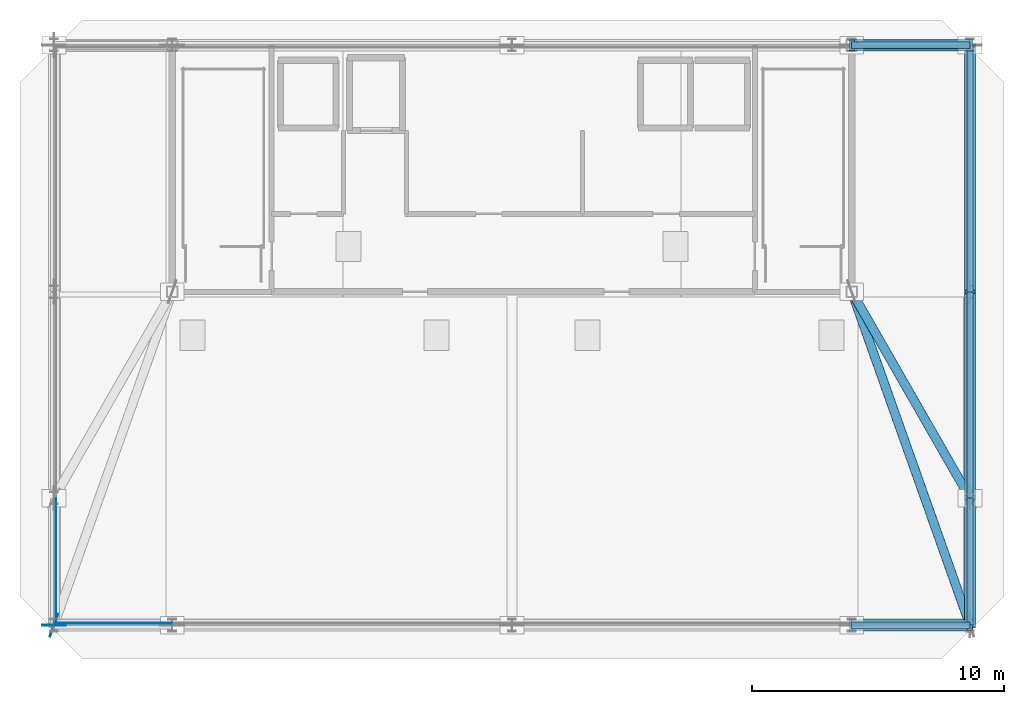
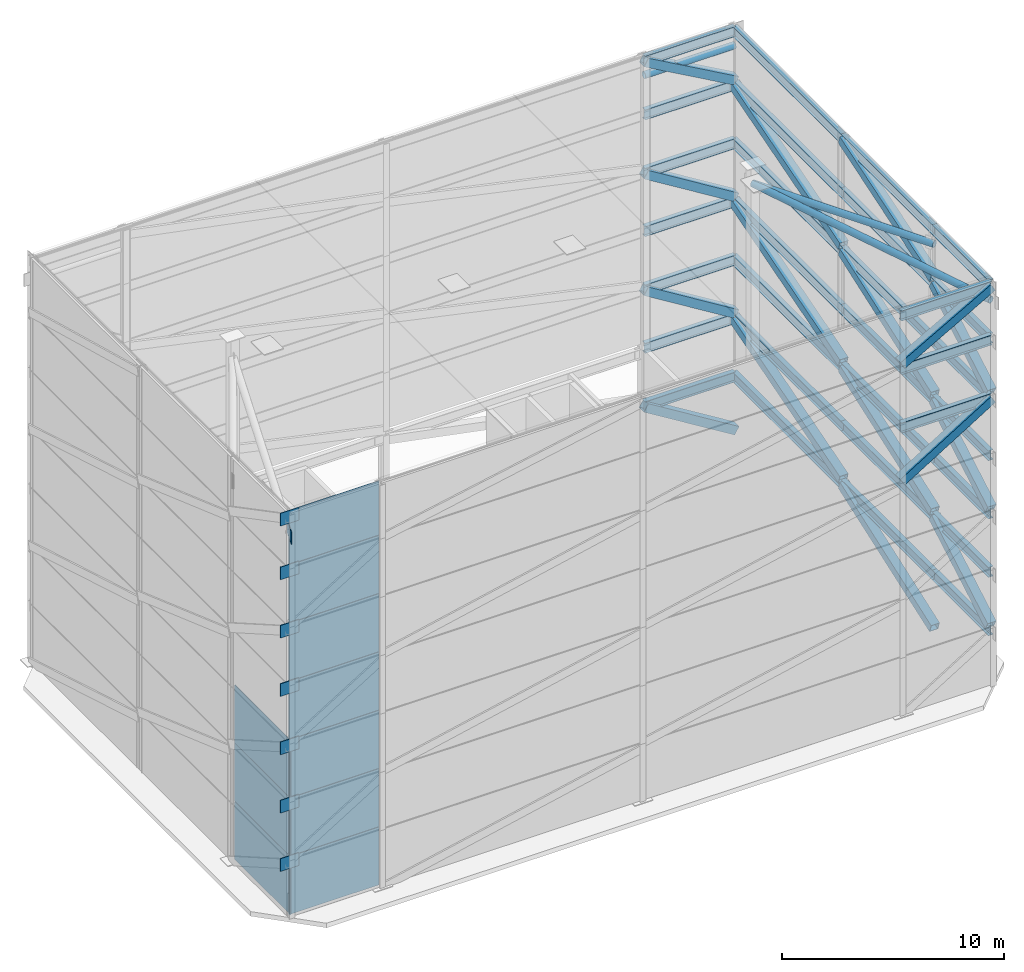
# One storey, part 3 of 8: 31 beams, 19 members, 18 plates.
"""IFC4 building model written with IfcOpenShell, lengths in metres."""

import ifcopenshell
import ifcopenshell.guid

model = None  # the IFC model being written
_history = None  # IfcOwnerHistory: only IFC2X3 demands one
_inside = {}  # id of a spatial element -> (the spatial element, [elements in it])
_under = {}  # id of a project, library or spatial element -> (it, [spatial elements below it])
_declared = {}  # id of a project -> (the project, [libraries it declares])
_typed = {}  # id of a type object -> (the type object, [elements of that type])
_made_of = {}  # id of a material, layer set ... -> (it, [elements and type objects made of it])


def new_model(schema):
    """Start an empty IFC model of exactly this schema.

    Asked for "IFC4X3", IfcOpenShell would pick the latest addendum, in which some entities
    have other attributes; the version numbers below select the first issue.
    IFC2X3 requires an IfcOwnerHistory on every rooted entity: one is made here for all.
    """
    global model, _history
    if schema == "IFC4X3":
        model = ifcopenshell.file(schema_version=(4, 3, 0, 0))
    else:
        model = ifcopenshell.file(schema=schema)
    _inside.clear()
    _under.clear()
    _declared.clear()
    _typed.clear()
    _made_of.clear()
    _history = None
    if model.schema == "IFC2X3":
        org = make("IfcOrganization", Name="unknown")
        user = make(
            "IfcPersonAndOrganization",
            ThePerson=make("IfcPerson", FamilyName="unknown"),
            TheOrganization=org,
        )
        app = make(
            "IfcApplication",
            ApplicationDeveloper=org,
            Version="unknown",
            ApplicationFullName="unknown",
            ApplicationIdentifier="unknown",
        )
        _history = make(
            "IfcOwnerHistory",
            OwningUser=user,
            OwningApplication=app,
            ChangeAction="ADDED",
            CreationDate=0,
        )
    return model


def make(cls, **values):
    """One entity of the class cls with the attributes given. An attribute that is None is left unset."""
    return model.create_entity(
        cls, **{name: value for name, value in values.items() if value is not None}
    )


def rooted(cls, **values):
    """An entity with a GlobalId (a new one), such as an element, a storey or a relation."""
    return make(cls, GlobalId=ifcopenshell.guid.new(), OwnerHistory=_history, **values)


def si_unit(unit_type, name, prefix=None):
    """IfcSIUnit, for example si_unit("LENGTHUNIT", "METRE", prefix="MILLI")."""
    return make("IfcSIUnit", UnitType=unit_type, Prefix=prefix, Name=name)


def assignment(units):
    """IfcUnitAssignment: the units of a project."""
    return None if units is None else make("IfcUnitAssignment", Units=units)


def point(xyz):
    """IfcCartesianPoint."""
    return None if xyz is None else make("IfcCartesianPoint", Coordinates=xyz)


def direction(xyz):
    """IfcDirection."""
    return None if xyz is None else make("IfcDirection", DirectionRatios=xyz)


def frame(location, z_axis=None, x_axis=None):
    """IfcAxis2Placement3D, a coordinate frame: its origin and axes. An axis left out is left unset."""
    return make(
        "IfcAxis2Placement3D",
        Location=point(location),
        Axis=direction(z_axis),
        RefDirection=direction(x_axis),
    )


def frame_2d(location, x_axis=None):
    """IfcAxis2Placement2D, a coordinate frame in the plane: its origin and x axis."""
    return make(
        "IfcAxis2Placement2D", Location=point(location), RefDirection=direction(x_axis)
    )


def origin():
    """The frame at (0, 0, 0) with its axes left unset."""
    return frame((0.0, 0.0, 0.0))


def origin_2d():
    """The frame at (0, 0) in the plane with its x axis left unset."""
    return frame_2d((0.0, 0.0))


def place(relative_to, where):
    """IfcLocalPlacement: puts the frame where relative to a parent placement (None: the world)."""
    return make(
        "IfcLocalPlacement", PlacementRelTo=relative_to, RelativePlacement=where
    )


def context(
    kind, dimensions, precision=None, world=None, true_north=None, identifier=None
):
    """IfcGeometricRepresentationContext, for example the 3D "Model" context."""
    return make(
        "IfcGeometricRepresentationContext",
        ContextIdentifier=identifier,
        ContextType=kind,
        CoordinateSpaceDimension=dimensions,
        Precision=precision,
        WorldCoordinateSystem=world,
        TrueNorth=true_north,
    )


def subcontext(parent, identifier, kind, view, scale=None):
    """IfcGeometricRepresentationSubContext, for example "Body" below "Model"."""
    return make(
        "IfcGeometricRepresentationSubContext",
        ContextIdentifier=identifier,
        ContextType=kind,
        ParentContext=parent,
        TargetScale=scale,
        TargetView=view,
    )


def project(units=None, contexts=None):
    """IfcProject with its units and contexts."""
    return rooted(
        "IfcProject",
        Name="project",
        RepresentationContexts=contexts,
        UnitsInContext=assignment(units),
    )


def spatial(cls, under=None, at=None, **own):
    """A site, building, storey or space (cls), placed at a placement, below another one or the project."""
    s = rooted(cls, ObjectPlacement=at, **own)
    if under is not None:
        _under.setdefault(under.id(), (under, []))[1].append(s)
    return s


def profile(cls, at=None, kind="AREA", **sizes):
    """A parametric profile (cls). Its sizes go by their IFC names, for example OverallWidth=200.0."""
    return make(cls, ProfileType=kind, Position=at, **sizes)


def rectangle(**sizes):
    """IfcRectangleProfileDef."""
    return profile("IfcRectangleProfileDef", **sizes)


def hollow_rectangle(**sizes):
    """IfcRectangleHollowProfileDef."""
    return profile("IfcRectangleHollowProfileDef", **sizes)


def hollow_circle(**sizes):
    """IfcCircleHollowProfileDef."""
    return profile("IfcCircleHollowProfileDef", **sizes)


def i_section(**sizes):
    """IfcIShapeProfileDef."""
    return profile("IfcIShapeProfileDef", **sizes)


def extrude(swept, where, along, depth):
    """IfcExtrudedAreaSolid: the profile swept, set in the frame where, extruded along a direction by depth."""
    return make(
        "IfcExtrudedAreaSolid",
        SweptArea=swept,
        Position=where,
        ExtrudedDirection=direction(along),
        Depth=depth,
    )


def shape(context_of_items, identifier, shape_type, items):
    """IfcShapeRepresentation: the items that make up one representation, for example the "Body"."""
    return make(
        "IfcShapeRepresentation",
        ContextOfItems=context_of_items,
        RepresentationIdentifier=identifier,
        RepresentationType=shape_type,
        Items=items,
    )


def material(Name=None, Category=None):
    """IfcMaterial."""
    return make("IfcMaterial", Name=Name, Category=Category)


def layer(
    of_material, thickness, ventilated=None, Name=None, Category=None, Priority=None
):
    """IfcMaterialLayer: one layer of a wall or slab, of a material (None: an air gap)."""
    return make(
        "IfcMaterialLayer",
        Material=of_material,
        LayerThickness=thickness,
        IsVentilated=ventilated,
        Name=Name,
        Category=Category,
        Priority=Priority,
    )


def layer_set(layers, Name=None):
    """IfcMaterialLayerSet."""
    return make("IfcMaterialLayerSet", MaterialLayers=layers, LayerSetName=Name)


def material_profile(
    of_material, cross_section, Name=None, Category=None, Priority=None
):
    """IfcMaterialProfile: a cross section and its material."""
    return make(
        "IfcMaterialProfile",
        Name=Name,
        Material=of_material,
        Profile=cross_section,
        Priority=Priority,
        Category=Category,
    )


def profile_set(profiles, Name=None, composite=None):
    """IfcMaterialProfileSet."""
    return make(
        "IfcMaterialProfileSet",
        Name=Name,
        MaterialProfiles=profiles,
        CompositeProfile=composite,
    )


def made_of(thing, what):
    """Note that an element or type object is made of a material, layer set ...; save() writes the relation."""
    if what is not None:
        _made_of.setdefault(what.id(), (what, []))[1].append(thing)
    return thing


def type_object(cls, material=None, **own):
    """A type object (cls), such as IfcWallType, which elements share."""
    return made_of(rooted(cls, **own), material)


def element(
    cls,
    number,
    at=None,
    inside=None,
    cuts=None,
    type_object=None,
    material=None,
    context=None,
    identifier="Body",
    shape_type=None,
    held_by="IfcProductDefinitionShape",
    body=None,
    shapes=None,
    **own,
):
    """One element of the class cls, such as IfcWall. Its Tag is "e" and its number.

    at: its placement. inside: the storey or other place that contains it. cuts: it is an
    opening in that element (IfcRelVoidsElement). A single representation is given by context,
    identifier, shape_type and body (its items); several are given by shapes. held_by: the class
    of the entity that holds the representations. save() writes the other relations.
    """
    e = rooted(cls, Tag="e%d" % number, ObjectPlacement=at, **own)
    if body is not None:
        shapes = [shape(context, identifier, shape_type, body)]
    if shapes is not None:
        e.Representation = make(held_by, Representations=shapes)
    if inside is not None:
        _inside.setdefault(inside.id(), (inside, []))[1].append(e)
    if cuts is not None:
        rooted(
            "IfcRelVoidsElement", RelatingBuildingElement=cuts, RelatedOpeningElement=e
        )
    if type_object is not None:
        _typed.setdefault(type_object.id(), (type_object, []))[1].append(e)
    return made_of(e, material)


def aggregate(whole, parts):
    """IfcRelAggregates: a whole, such as a stair, and the parts it consists of."""
    return rooted("IfcRelAggregates", RelatingObject=whole, RelatedObjects=parts)


def save(model, path):
    """Write the relations noted so far, then the file.

    IfcRelAggregates (storeys below a building ...), IfcRelContainedInSpatialStructure (elements
    in a storey), IfcRelDefinesByType, IfcRelAssociatesMaterial and IfcRelDeclares: one each for
    every whole, place, type object, material and project.
    """
    for whole, parts in _under.values():
        aggregate(whole, parts)
    for where, things in _inside.values():
        rooted(
            "IfcRelContainedInSpatialStructure",
            RelatedElements=things,
            RelatingStructure=where,
        )
    for kind, things in _typed.values():
        rooted("IfcRelDefinesByType", RelatedObjects=things, RelatingType=kind)
    for what, things in _made_of.values():
        rooted("IfcRelAssociatesMaterial", RelatedObjects=things, RelatingMaterial=what)
    for by, libraries in _declared.values():
        rooted("IfcRelDeclares", RelatingContext=by, RelatedDefinitions=libraries)
    model.write(path)


model = new_model("IFC4")

# Units and contexts
model_context = context("Model", 3, precision=1e-05, world=origin(), true_north=direction((0.0, 1.0)))
body_context = subcontext(model_context, "Body", "Model", "MODEL_VIEW")
ifc_project = project(units=[si_unit("LENGTHUNIT", "METRE"), si_unit("AREAUNIT", "SQUARE_METRE"), si_unit("VOLUMEUNIT", "CUBIC_METRE"), si_unit("PLANEANGLEUNIT", "RADIAN"), si_unit("MASSUNIT", "GRAM", prefix="KILO")], contexts=[model_context])

# Site, building, storey
site_placement = place(None, origin())
site = spatial("IfcSite", under=ifc_project, at=site_placement, CompositionType="ELEMENT")
building_placement = place(site_placement, origin())
building = spatial("IfcBuilding", under=site, at=building_placement, Name="Haevon Station Towers", CompositionType="ELEMENT")
storey_placement = place(building_placement, frame((0.0, 0.0, 270.0)))
storey = spatial("IfcBuildingStorey", under=building, at=storey_placement, Name="Roof", CompositionType="ELEMENT", Elevation=270.0)

# Beams
ifc_material_1 = material(Name="Steel S355", Category="steel")
ifc_material_profile_1 = material_profile(ifc_material_1, i_section(OverallWidth=0.25, OverallDepth=0.550048828125, WebThickness=0.011962890625, FlangeThickness=0.02001953125, at=origin_2d()), Name="H-550x250x12x20")
ifc_profile_set_1 = profile_set([ifc_material_profile_1], Name="Steel S355")
beam_type = type_object("IfcBeamType", Name="BM-CRN550", PredefinedType="BEAM", material=ifc_profile_set_1)
beam_1_placement = place(storey_placement, frame((55.699951171875, 24.949951171875, 2.925048828125), z_axis=(0.0, 1.0, 0.0), x_axis=(-1.0, 0.0, 0.0)))
element("IfcBeam", 1, at=beam_1_placement, inside=storey, type_object=beam_type, Name="CROWN FRAME Ring Beam T1-05", PredefinedType="BEAM", context=body_context, shape_type="SweptSolid", body=[
    extrude(i_section(OverallWidth=0.25, OverallDepth=0.550048828125, WebThickness=0.011962890625, FlangeThickness=0.02001953125, at=origin_2d()), origin(), (0.0, 0.0, 1.0), 5.050048828125),
])
beam_2_placement = place(storey_placement, frame((55.699951171875, 30.0, 2.925048828125), z_axis=(0.0, 1.0, 0.0), x_axis=(-1.0, 0.0, 0.0)))
element("IfcBeam", 2, at=beam_2_placement, inside=storey, type_object=beam_type, Name="CROWN FRAME Ring Beam T1-06", PredefinedType="BEAM", context=body_context, shape_type="SweptSolid", body=[
    extrude(i_section(OverallWidth=0.25, OverallDepth=0.550048828125, WebThickness=0.011962890625, FlangeThickness=0.02001953125, at=origin_2d()), origin(), (0.0, 0.0, 1.0), 8.199951171875),
])
beam_3_placement = place(storey_placement, frame((55.699951171875, 38.199951171875, 2.925048828125), z_axis=(0.0, 1.0, 0.0), x_axis=(-1.0, 0.0, 0.0)))
element("IfcBeam", 3, at=beam_3_placement, inside=storey, type_object=beam_type, Name="CROWN FRAME Ring Beam T1-07", PredefinedType="BEAM", context=body_context, shape_type="SweptSolid", body=[
    extrude(i_section(OverallWidth=0.25, OverallDepth=0.550048828125, WebThickness=0.011962890625, FlangeThickness=0.02001953125, at=origin_2d()), origin(), (0.0, 0.0, 1.0), 9.800048828125),
])
beam_4_placement = place(storey_placement, frame((55.699951171875, 48.0, 2.925048828125), z_axis=(-1.0, 0.0, 0.0), x_axis=(0.0, -1.0, 0.0)))
element("IfcBeam", 4, at=beam_4_placement, inside=storey, type_object=beam_type, Name="CROWN FRAME Ring Beam T1-08", PredefinedType="BEAM", context=body_context, shape_type="SweptSolid", body=[
    extrude(i_section(OverallWidth=0.25, OverallDepth=0.550048828125, WebThickness=0.011962890625, FlangeThickness=0.02001953125, at=origin_2d()), origin(), (0.0, 0.0, 1.0), 4.699951171875),
])
beam_5_placement = place(storey_placement, frame((55.699951171875, 24.949951171875, 6.125), z_axis=(0.0, 1.0, 0.0), x_axis=(-1.0, 0.0, 0.0)))
element("IfcBeam", 5, at=beam_5_placement, inside=storey, type_object=beam_type, Name="CROWN FRAME Ring Beam T2-05", PredefinedType="BEAM", context=body_context, shape_type="SweptSolid", body=[
    extrude(i_section(OverallWidth=0.25, OverallDepth=0.550048828125, WebThickness=0.011962890625, FlangeThickness=0.02001953125, at=origin_2d()), origin(), (0.0, 0.0, 1.0), 5.050048828125),
])
beam_6_placement = place(storey_placement, frame((55.699951171875, 30.0, 6.125), z_axis=(0.0, 1.0, 0.0), x_axis=(-1.0, 0.0, 0.0)))
element("IfcBeam", 6, at=beam_6_placement, inside=storey, type_object=beam_type, Name="CROWN FRAME Ring Beam T2-06", PredefinedType="BEAM", context=body_context, shape_type="SweptSolid", body=[
    extrude(i_section(OverallWidth=0.25, OverallDepth=0.550048828125, WebThickness=0.011962890625, FlangeThickness=0.02001953125, at=origin_2d()), origin(), (0.0, 0.0, 1.0), 8.199951171875),
])
beam_7_placement = place(storey_placement, frame((55.699951171875, 38.199951171875, 6.125), z_axis=(0.0, 1.0, 0.0), x_axis=(-1.0, 0.0, 0.0)))
element("IfcBeam", 7, at=beam_7_placement, inside=storey, type_object=beam_type, Name="CROWN FRAME Ring Beam T2-07", PredefinedType="BEAM", context=body_context, shape_type="SweptSolid", body=[
    extrude(i_section(OverallWidth=0.25, OverallDepth=0.550048828125, WebThickness=0.011962890625, FlangeThickness=0.02001953125, at=origin_2d()), origin(), (0.0, 0.0, 1.0), 9.800048828125),
])
beam_8_placement = place(storey_placement, frame((55.699951171875, 48.0, 6.125), z_axis=(-1.0, 0.0, 0.0), x_axis=(0.0, -1.0, 0.0)))
element("IfcBeam", 8, at=beam_8_placement, inside=storey, type_object=beam_type, Name="CROWN FRAME Ring Beam T2-08", PredefinedType="BEAM", context=body_context, shape_type="SweptSolid", body=[
    extrude(i_section(OverallWidth=0.25, OverallDepth=0.550048828125, WebThickness=0.011962890625, FlangeThickness=0.02001953125, at=origin_2d()), origin(), (0.0, 0.0, 1.0), 4.699951171875),
])
beam_9_placement = place(storey_placement, frame((55.699951171875, 24.949951171875, 9.324951171875), z_axis=(0.0, 1.0, 0.0), x_axis=(-1.0, 0.0, 0.0)))
element("IfcBeam", 9, at=beam_9_placement, inside=storey, type_object=beam_type, Name="CROWN FRAME Ring Beam T3-05", PredefinedType="BEAM", context=body_context, shape_type="SweptSolid", body=[
    extrude(i_section(OverallWidth=0.25, OverallDepth=0.550048828125, WebThickness=0.011962890625, FlangeThickness=0.02001953125, at=origin_2d()), origin(), (0.0, 0.0, 1.0), 5.050048828125),
])
beam_10_placement = place(storey_placement, frame((55.699951171875, 30.0, 9.324951171875), z_axis=(0.0, 1.0, 0.0), x_axis=(-1.0, 0.0, 0.0)))
element("IfcBeam", 10, at=beam_10_placement, inside=storey, type_object=beam_type, Name="CROWN FRAME Ring Beam T3-06", PredefinedType="BEAM", context=body_context, shape_type="SweptSolid", body=[
    extrude(i_section(OverallWidth=0.25, OverallDepth=0.550048828125, WebThickness=0.011962890625, FlangeThickness=0.02001953125, at=origin_2d()), origin(), (0.0, 0.0, 1.0), 8.199951171875),
])
beam_11_placement = place(storey_placement, frame((55.699951171875, 38.199951171875, 9.324951171875), z_axis=(0.0, 1.0, 0.0), x_axis=(-1.0, 0.0, 0.0)))
element("IfcBeam", 11, at=beam_11_placement, inside=storey, type_object=beam_type, Name="CROWN FRAME Ring Beam T3-07", PredefinedType="BEAM", context=body_context, shape_type="SweptSolid", body=[
    extrude(i_section(OverallWidth=0.25, OverallDepth=0.550048828125, WebThickness=0.011962890625, FlangeThickness=0.02001953125, at=origin_2d()), origin(), (0.0, 0.0, 1.0), 9.800048828125),
])
beam_12_placement = place(storey_placement, frame((55.699951171875, 48.0, 9.324951171875), z_axis=(-1.0, 0.0, 0.0), x_axis=(0.0, -1.0, 0.0)))
element("IfcBeam", 12, at=beam_12_placement, inside=storey, type_object=beam_type, Name="CROWN FRAME Ring Beam T3-08", PredefinedType="BEAM", context=body_context, shape_type="SweptSolid", body=[
    extrude(i_section(OverallWidth=0.25, OverallDepth=0.550048828125, WebThickness=0.011962890625, FlangeThickness=0.02001953125, at=origin_2d()), origin(), (0.0, 0.0, 1.0), 4.699951171875),
])
beam_13_placement = place(storey_placement, frame((55.699951171875, 24.949951171875, 12.52490234375), z_axis=(0.0, 1.0, 0.0), x_axis=(-1.0, 0.0, 0.0)))
element("IfcBeam", 13, at=beam_13_placement, inside=storey, type_object=beam_type, Name="CROWN FRAME Ring Beam T4-05", PredefinedType="BEAM", context=body_context, shape_type="SweptSolid", body=[
    extrude(i_section(OverallWidth=0.25, OverallDepth=0.550048828125, WebThickness=0.011962890625, FlangeThickness=0.02001953125, at=origin_2d()), origin(), (0.0, 0.0, 1.0), 5.050048828125),
])
beam_14_placement = place(storey_placement, frame((55.699951171875, 30.0, 12.52490234375), z_axis=(0.0, 1.0, 0.0), x_axis=(-1.0, 0.0, 0.0)))
element("IfcBeam", 14, at=beam_14_placement, inside=storey, type_object=beam_type, Name="CROWN FRAME Ring Beam T4-06", PredefinedType="BEAM", context=body_context, shape_type="SweptSolid", body=[
    extrude(i_section(OverallWidth=0.25, OverallDepth=0.550048828125, WebThickness=0.011962890625, FlangeThickness=0.02001953125, at=origin_2d()), origin(), (0.0, 0.0, 1.0), 8.199951171875),
])
beam_15_placement = place(storey_placement, frame((55.699951171875, 38.199951171875, 12.52490234375), z_axis=(0.0, 1.0, 0.0), x_axis=(-1.0, 0.0, 0.0)))
element("IfcBeam", 15, at=beam_15_placement, inside=storey, type_object=beam_type, Name="CROWN FRAME Ring Beam T4-07", PredefinedType="BEAM", context=body_context, shape_type="SweptSolid", body=[
    extrude(i_section(OverallWidth=0.25, OverallDepth=0.550048828125, WebThickness=0.011962890625, FlangeThickness=0.02001953125, at=origin_2d()), origin(), (0.0, 0.0, 1.0), 9.800048828125),
])
for number, where, z_axis, x_axis, name in (
    (16, (55.699951171875, 48.0, 12.52490234375), (-1.0, 0.0, 0.0), (0.0, -1.0, 0.0), "CROWN FRAME Ring Beam T4-08"),
    (17, (51.0, 24.949951171875, 15.72509765625), (1.0, 0.0, 0.0), (0.0, 1.0, 0.0), "CROWN FRAME Ring Beam T5-04"),
):
    element("IfcBeam", number, at=place(storey_placement, frame(where, z_axis=z_axis, x_axis=x_axis)), inside=storey, type_object=beam_type, Name=name, PredefinedType="BEAM", context=body_context, shape_type="SweptSolid", body=[
        extrude(i_section(OverallWidth=0.25, OverallDepth=0.550048828125, WebThickness=0.011962890625, FlangeThickness=0.02001953125, at=origin_2d()), origin(), (0.0, 0.0, 1.0), 4.699951171875),
    ])
beam_16_placement = place(storey_placement, frame((55.699951171875, 24.949951171875, 15.72509765625), z_axis=(0.0, 1.0, 0.0), x_axis=(-1.0, 0.0, 0.0)))
element("IfcBeam", 18, at=beam_16_placement, inside=storey, type_object=beam_type, Name="CROWN FRAME Ring Beam T5-05", PredefinedType="BEAM", context=body_context, shape_type="SweptSolid", body=[
    extrude(i_section(OverallWidth=0.25, OverallDepth=0.550048828125, WebThickness=0.011962890625, FlangeThickness=0.02001953125, at=origin_2d()), origin(), (0.0, 0.0, 1.0), 5.050048828125),
])
beam_17_placement = place(storey_placement, frame((55.699951171875, 30.0, 15.72509765625), z_axis=(0.0, 1.0, 0.0), x_axis=(-1.0, 0.0, 0.0)))
element("IfcBeam", 19, at=beam_17_placement, inside=storey, type_object=beam_type, Name="CROWN FRAME Ring Beam T5-06", PredefinedType="BEAM", context=body_context, shape_type="SweptSolid", body=[
    extrude(i_section(OverallWidth=0.25, OverallDepth=0.550048828125, WebThickness=0.011962890625, FlangeThickness=0.02001953125, at=origin_2d()), origin(), (0.0, 0.0, 1.0), 8.199951171875),
])
beam_18_placement = place(storey_placement, frame((55.699951171875, 38.199951171875, 15.72509765625), z_axis=(0.0, 1.0, 0.0), x_axis=(-1.0, 0.0, 0.0)))
element("IfcBeam", 20, at=beam_18_placement, inside=storey, type_object=beam_type, Name="CROWN FRAME Ring Beam T5-07", PredefinedType="BEAM", context=body_context, shape_type="SweptSolid", body=[
    extrude(i_section(OverallWidth=0.25, OverallDepth=0.550048828125, WebThickness=0.011962890625, FlangeThickness=0.02001953125, at=origin_2d()), origin(), (0.0, 0.0, 1.0), 9.800048828125),
])
for number, where, z_axis, x_axis, name in (
    (21, (55.699951171875, 48.0, 15.72509765625), (-1.0, 0.0, 0.0), (0.0, -1.0, 0.0), "CROWN FRAME Ring Beam T5-08"),
    (22, (51.0, 24.949951171875, 18.925048828125), (1.0, 0.0, 0.0), (0.0, 1.0, 0.0), "CROWN FRAME Ring Beam T6-04"),
):
    element("IfcBeam", number, at=place(storey_placement, frame(where, z_axis=z_axis, x_axis=x_axis)), inside=storey, type_object=beam_type, Name=name, PredefinedType="BEAM", context=body_context, shape_type="SweptSolid", body=[
        extrude(i_section(OverallWidth=0.25, OverallDepth=0.550048828125, WebThickness=0.011962890625, FlangeThickness=0.02001953125, at=origin_2d()), origin(), (0.0, 0.0, 1.0), 4.699951171875),
    ])
beam_19_placement = place(storey_placement, frame((55.699951171875, 24.949951171875, 18.925048828125), z_axis=(0.0, 1.0, 0.0), x_axis=(-1.0, 0.0, 0.0)))
element("IfcBeam", 23, at=beam_19_placement, inside=storey, type_object=beam_type, Name="CROWN FRAME Ring Beam T6-05", PredefinedType="BEAM", context=body_context, shape_type="SweptSolid", body=[
    extrude(i_section(OverallWidth=0.25, OverallDepth=0.550048828125, WebThickness=0.011962890625, FlangeThickness=0.02001953125, at=origin_2d()), origin(), (0.0, 0.0, 1.0), 5.050048828125),
])
beam_20_placement = place(storey_placement, frame((55.699951171875, 30.0, 18.925048828125), z_axis=(0.0, 1.0, 0.0), x_axis=(-1.0, 0.0, 0.0)))
element("IfcBeam", 24, at=beam_20_placement, inside=storey, type_object=beam_type, Name="CROWN FRAME Ring Beam T6-06", PredefinedType="BEAM", context=body_context, shape_type="SweptSolid", body=[
    extrude(i_section(OverallWidth=0.25, OverallDepth=0.550048828125, WebThickness=0.011962890625, FlangeThickness=0.02001953125, at=origin_2d()), origin(), (0.0, 0.0, 1.0), 8.199951171875),
])
beam_21_placement = place(storey_placement, frame((55.699951171875, 38.199951171875, 18.925048828125), z_axis=(0.0, 1.0, 0.0), x_axis=(-1.0, 0.0, 0.0)))
element("IfcBeam", 25, at=beam_21_placement, inside=storey, type_object=beam_type, Name="CROWN FRAME Ring Beam T6-07", PredefinedType="BEAM", context=body_context, shape_type="SweptSolid", body=[
    extrude(i_section(OverallWidth=0.25, OverallDepth=0.550048828125, WebThickness=0.011962890625, FlangeThickness=0.02001953125, at=origin_2d()), origin(), (0.0, 0.0, 1.0), 9.800048828125),
])
for number, where, z_axis, x_axis, name in (
    (26, (55.699951171875, 48.0, 18.925048828125), (-1.0, 0.0, 0.0), (0.0, -1.0, 0.0), "CROWN FRAME Ring Beam T6-08"),
    (27, (51.0, 24.949951171875, 21.875), (1.0, 0.0, 0.0), (0.0, 1.0, 0.0), "CROWN FRAME Ring Beam T7-04"),
):
    element("IfcBeam", number, at=place(storey_placement, frame(where, z_axis=z_axis, x_axis=x_axis)), inside=storey, type_object=beam_type, Name=name, PredefinedType="BEAM", context=body_context, shape_type="SweptSolid", body=[
        extrude(i_section(OverallWidth=0.25, OverallDepth=0.550048828125, WebThickness=0.011962890625, FlangeThickness=0.02001953125, at=origin_2d()), origin(), (0.0, 0.0, 1.0), 4.699951171875),
    ])
beam_22_placement = place(storey_placement, frame((55.699951171875, 24.949951171875, 21.875), z_axis=(0.0, 1.0, 0.0), x_axis=(-1.0, 0.0, 0.0)))
element("IfcBeam", 28, at=beam_22_placement, inside=storey, type_object=beam_type, Name="CROWN FRAME Ring Beam T7-05", PredefinedType="BEAM", context=body_context, shape_type="SweptSolid", body=[
    extrude(i_section(OverallWidth=0.25, OverallDepth=0.550048828125, WebThickness=0.011962890625, FlangeThickness=0.02001953125, at=origin_2d()), origin(), (0.0, 0.0, 1.0), 5.050048828125),
])
beam_23_placement = place(storey_placement, frame((55.699951171875, 30.0, 21.875), z_axis=(0.0, 1.0, 0.0), x_axis=(-1.0, 0.0, 0.0)))
element("IfcBeam", 29, at=beam_23_placement, inside=storey, type_object=beam_type, Name="CROWN FRAME Ring Beam T7-06", PredefinedType="BEAM", context=body_context, shape_type="SweptSolid", body=[
    extrude(i_section(OverallWidth=0.25, OverallDepth=0.550048828125, WebThickness=0.011962890625, FlangeThickness=0.02001953125, at=origin_2d()), origin(), (0.0, 0.0, 1.0), 8.199951171875),
])
beam_24_placement = place(storey_placement, frame((55.699951171875, 38.199951171875, 21.875), z_axis=(0.0, 1.0, 0.0), x_axis=(-1.0, 0.0, 0.0)))
element("IfcBeam", 30, at=beam_24_placement, inside=storey, type_object=beam_type, Name="CROWN FRAME Ring Beam T7-07", PredefinedType="BEAM", context=body_context, shape_type="SweptSolid", body=[
    extrude(i_section(OverallWidth=0.25, OverallDepth=0.550048828125, WebThickness=0.011962890625, FlangeThickness=0.02001953125, at=origin_2d()), origin(), (0.0, 0.0, 1.0), 9.800048828125),
])
beam_25_placement = place(storey_placement, frame((55.699951171875, 48.0, 21.875), z_axis=(-1.0, 0.0, 0.0), x_axis=(0.0, -1.0, 0.0)))
element("IfcBeam", 31, at=beam_25_placement, inside=storey, type_object=beam_type, Name="CROWN FRAME Ring Beam T7-08", PredefinedType="BEAM", context=body_context, shape_type="SweptSolid", body=[
    extrude(i_section(OverallWidth=0.25, OverallDepth=0.550048828125, WebThickness=0.011962890625, FlangeThickness=0.02001953125, at=origin_2d()), origin(), (0.0, 0.0, 1.0), 4.699951171875),
])

# Members
ifc_material_profile_2 = material_profile(ifc_material_1, hollow_rectangle(XDim=0.449951171875, YDim=0.449951171875, WallThickness=0.02001953125, at=origin_2d()), Name="RHS-450x450x20")
ifc_profile_set_2 = profile_set([ifc_material_profile_2], Name="Steel S355")
member_type_1 = type_object("IfcMemberType", Name="BRCRN-450", PredefinedType="BRACE", material=ifc_profile_set_2)
member_1_placement = place(storey_placement, frame((55.699951171875, 30.0, 0.02001953125), z_axis=(0.0, 0.942780789399, 0.333413231801), x_axis=(-1.0, 0.0, 0.0)))
element("IfcMember", 32, at=member_1_placement, inside=storey, type_object=member_type_1, Name="CROWN FRAME Wind Brace T1-06", PredefinedType="BRACE", context=body_context, shape_type="SweptSolid", body=[
    extrude(hollow_rectangle(XDim=0.449951171875, YDim=0.449951171875, WallThickness=0.02001953125, at=origin_2d()), origin(), (0.0, 0.0, 1.0), 8.697509765625),
])
member_2_placement = place(storey_placement, frame((55.699951171875, 48.0, 0.02001953125), z_axis=(-0.851041477109, 0.0, 0.525098470994), x_axis=(0.0, -1.0, 0.0)))
element("IfcMember", 33, at=member_2_placement, inside=storey, type_object=member_type_1, Name="CROWN FRAME Wind Brace T1-08", PredefinedType="BRACE", context=body_context, shape_type="SweptSolid", body=[
    extrude(hollow_rectangle(XDim=0.449951171875, YDim=0.449951171875, WallThickness=0.02001953125, at=origin_2d()), origin(), (0.0, 0.0, 1.0), 5.522705078125),
])
member_3_placement = place(storey_placement, frame((55.699951171875, 24.949951171875, 3.219970703125), z_axis=(0.0, 0.86717565275, 0.498002396859), x_axis=(-1.0, 0.0, 0.0)))
element("IfcMember", 34, at=member_3_placement, inside=storey, type_object=member_type_1, Name="CROWN FRAME Wind Brace T2-05", PredefinedType="BRACE", context=body_context, shape_type="SweptSolid", body=[
    extrude(hollow_rectangle(XDim=0.449951171875, YDim=0.449951171875, WallThickness=0.02001953125, at=origin_2d()), origin(), (0.0, 0.0, 1.0), 5.823486328125),
])
member_4_placement = place(storey_placement, frame((55.699951171875, 38.199951171875, 3.219970703125), z_axis=(0.0, 0.958893249901, 0.283767044059), x_axis=(-1.0, 0.0, 0.0)))
element("IfcMember", 35, at=member_4_placement, inside=storey, type_object=member_type_1, Name="CROWN FRAME Wind Brace T2-07", PredefinedType="BRACE", context=body_context, shape_type="SweptSolid", body=[
    extrude(hollow_rectangle(XDim=0.449951171875, YDim=0.449951171875, WallThickness=0.02001953125, at=origin_2d()), origin(), (0.0, 0.0, 1.0), 10.22021484375),
])
member_5_placement = place(storey_placement, frame((55.699951171875, 30.0, 6.419921875), z_axis=(0.0, 0.942771965811, 0.333438180899), x_axis=(-1.0, 0.0, 0.0)))
element("IfcMember", 36, at=member_5_placement, inside=storey, type_object=member_type_1, Name="CROWN FRAME Wind Brace T3-06", PredefinedType="BRACE", context=body_context, shape_type="SweptSolid", body=[
    extrude(hollow_rectangle(XDim=0.449951171875, YDim=0.449951171875, WallThickness=0.02001953125, at=origin_2d()), origin(), (0.0, 0.0, 1.0), 8.69775390625),
])
member_6_placement = place(storey_placement, frame((55.699951171875, 48.0, 6.419921875), z_axis=(-0.851021721425, 0.0, 0.525130488224), x_axis=(0.0, -1.0, 0.0)))
element("IfcMember", 37, at=member_6_placement, inside=storey, type_object=member_type_1, Name="CROWN FRAME Wind Brace T3-08", PredefinedType="BRACE", context=body_context, shape_type="SweptSolid", body=[
    extrude(hollow_rectangle(XDim=0.449951171875, YDim=0.449951171875, WallThickness=0.02001953125, at=origin_2d()), origin(), (0.0, 0.0, 1.0), 5.522705078125),
])
member_7_placement = place(storey_placement, frame((55.699951171875, 24.949951171875, 9.6201171875), z_axis=(0.0, 0.867193757202, 0.497970870101), x_axis=(-1.0, 0.0, 0.0)))
element("IfcMember", 38, at=member_7_placement, inside=storey, type_object=member_type_1, Name="CROWN FRAME Wind Brace T4-05", PredefinedType="BRACE", context=body_context, shape_type="SweptSolid", body=[
    extrude(hollow_rectangle(XDim=0.449951171875, YDim=0.449951171875, WallThickness=0.02001953125, at=origin_2d()), origin(), (0.0, 0.0, 1.0), 5.823486328125),
])
member_8_placement = place(storey_placement, frame((55.699951171875, 38.199951171875, 9.6201171875), z_axis=(0.0, 0.958899749708, 0.283745079271), x_axis=(-1.0, 0.0, 0.0)))
element("IfcMember", 39, at=member_8_placement, inside=storey, type_object=member_type_1, Name="CROWN FRAME Wind Brace T4-07", PredefinedType="BRACE", context=body_context, shape_type="SweptSolid", body=[
    extrude(hollow_rectangle(XDim=0.449951171875, YDim=0.449951171875, WallThickness=0.02001953125, at=origin_2d()), origin(), (0.0, 0.0, 1.0), 10.22021484375),
])
member_9_placement = place(storey_placement, frame((51.0, 24.949951171875, 12.820068359375), z_axis=(0.851041477109, 0.0, 0.525098470994), x_axis=(0.0, 1.0, 0.0)))
element("IfcMember", 40, at=member_9_placement, inside=storey, type_object=member_type_1, Name="CROWN FRAME Wind Brace T5-04", PredefinedType="BRACE", context=body_context, shape_type="SweptSolid", body=[
    extrude(hollow_rectangle(XDim=0.449951171875, YDim=0.449951171875, WallThickness=0.02001953125, at=origin_2d()), origin(), (0.0, 0.0, 1.0), 5.522705078125),
])
member_10_placement = place(storey_placement, frame((55.699951171875, 30.0, 12.820068359375), z_axis=(0.0, 0.942780789399, 0.333413231801), x_axis=(-1.0, 0.0, 0.0)))
element("IfcMember", 41, at=member_10_placement, inside=storey, type_object=member_type_1, Name="CROWN FRAME Wind Brace T5-06", PredefinedType="BRACE", context=body_context, shape_type="SweptSolid", body=[
    extrude(hollow_rectangle(XDim=0.449951171875, YDim=0.449951171875, WallThickness=0.02001953125, at=origin_2d()), origin(), (0.0, 0.0, 1.0), 8.697509765625),
])
member_11_placement = place(storey_placement, frame((55.699951171875, 48.0, 12.820068359375), z_axis=(-0.851041477109, 0.0, 0.525098470994), x_axis=(0.0, -1.0, 0.0)))
element("IfcMember", 42, at=member_11_placement, inside=storey, type_object=member_type_1, Name="CROWN FRAME Wind Brace T5-08", PredefinedType="BRACE", context=body_context, shape_type="SweptSolid", body=[
    extrude(hollow_rectangle(XDim=0.449951171875, YDim=0.449951171875, WallThickness=0.02001953125, at=origin_2d()), origin(), (0.0, 0.0, 1.0), 5.522705078125),
])
member_12_placement = place(storey_placement, frame((55.699951171875, 24.949951171875, 16.02001953125), z_axis=(0.0, 0.867193757202, 0.497970870101), x_axis=(-1.0, 0.0, 0.0)))
element("IfcMember", 43, at=member_12_placement, inside=storey, type_object=member_type_1, Name="CROWN FRAME Wind Brace T6-05", PredefinedType="BRACE", context=body_context, shape_type="SweptSolid", body=[
    extrude(hollow_rectangle(XDim=0.449951171875, YDim=0.449951171875, WallThickness=0.02001953125, at=origin_2d()), origin(), (0.0, 0.0, 1.0), 5.823486328125),
])
member_13_placement = place(storey_placement, frame((55.699951171875, 38.199951171875, 16.02001953125), z_axis=(0.0, 0.958899749708, 0.283745079271), x_axis=(-1.0, 0.0, 0.0)))
element("IfcMember", 44, at=member_13_placement, inside=storey, type_object=member_type_1, Name="CROWN FRAME Wind Brace T6-07", PredefinedType="BRACE", context=body_context, shape_type="SweptSolid", body=[
    extrude(hollow_rectangle(XDim=0.449951171875, YDim=0.449951171875, WallThickness=0.02001953125, at=origin_2d()), origin(), (0.0, 0.0, 1.0), 10.22021484375),
])
member_14_placement = place(storey_placement, frame((51.0, 24.949951171875, 19.219970703125), z_axis=(0.871066331678, 0.0, 0.491165395583), x_axis=(0.0, 1.0, 0.0)))
element("IfcMember", 45, at=member_14_placement, inside=storey, type_object=member_type_1, Name="CROWN FRAME Wind Brace T7-04", PredefinedType="BRACE", context=body_context, shape_type="SweptSolid", body=[
    extrude(hollow_rectangle(XDim=0.449951171875, YDim=0.449951171875, WallThickness=0.02001953125, at=origin_2d()), origin(), (0.0, 0.0, 1.0), 5.3955078125),
])
member_15_placement = place(storey_placement, frame((55.699951171875, 30.0, 19.219970703125), z_axis=(0.0, 0.951538916408, 0.307528357329), x_axis=(-1.0, 0.0, 0.0)))
element("IfcMember", 46, at=member_15_placement, inside=storey, type_object=member_type_1, Name="CROWN FRAME Wind Brace T7-06", PredefinedType="BRACE", context=body_context, shape_type="SweptSolid", body=[
    extrude(hollow_rectangle(XDim=0.449951171875, YDim=0.449951171875, WallThickness=0.02001953125, at=origin_2d()), origin(), (0.0, 0.0, 1.0), 8.61767578125),
])
member_16_placement = place(storey_placement, frame((55.699951171875, 48.0, 19.219970703125), z_axis=(-0.871066331678, 0.0, 0.491165395583), x_axis=(0.0, -1.0, 0.0)))
element("IfcMember", 47, at=member_16_placement, inside=storey, type_object=member_type_1, Name="CROWN FRAME Wind Brace T7-08", PredefinedType="BRACE", context=body_context, shape_type="SweptSolid", body=[
    extrude(hollow_rectangle(XDim=0.449951171875, YDim=0.449951171875, WallThickness=0.02001953125, at=origin_2d()), origin(), (0.0, 0.0, 1.0), 5.3955078125),
])
ifc_material_profile_3 = material_profile(ifc_material_1, hollow_circle(Radius=0.177734375, WallThickness=0.01611328125, at=origin_2d()), Name="CHS-355.6x16")
ifc_profile_set_3 = profile_set([ifc_material_profile_3], Name="Steel S355")
member_type_2 = type_object("IfcMemberType", Name="STCRN-356", PredefinedType="STRUT", material=ifc_profile_set_3)
member_17_placement = place(storey_placement, frame((55.699951171875, 24.949951171875, 21.050048828125), z_axis=(-0.334304863164, 0.942464990578, 0.0), x_axis=(-0.942464990578, -0.334304863164, 0.0)))
element("IfcMember", 48, at=member_17_placement, inside=storey, type_object=member_type_2, Name="CROWN FRAME Top Ring Strut 2", PredefinedType="STRUT", context=body_context, shape_type="SweptSolid", body=[
    extrude(hollow_circle(Radius=0.177734375, WallThickness=0.01611328125, at=origin_2d()), origin(), (0.0, 0.0, 1.0), 14.058837890625),
])
member_18_placement = place(storey_placement, frame((55.699951171875, 48.0, 21.050048828125), z_axis=(-1.0, 0.0, 0.0), x_axis=(0.0, -1.0, 0.0)))
element("IfcMember", 49, at=member_18_placement, inside=storey, type_object=member_type_2, Name="CROWN FRAME Top Ring Strut 3", PredefinedType="STRUT", context=body_context, shape_type="SweptSolid", body=[
    extrude(hollow_circle(Radius=0.177734375, WallThickness=0.01611328125, at=origin_2d()), origin(), (0.0, 0.0, 1.0), 4.699951171875),
])
member_19_placement = place(storey_placement, frame((55.699951171875, 30.0, 21.050048828125), z_axis=(-0.497276277027, 0.867592245416, 0.0), x_axis=(-0.867592245416, -0.497276277027, 0.0)))
element("IfcMember", 50, at=member_19_placement, inside=storey, type_object=member_type_2, Name="CROWN FRAME Top Ring Strut 6", PredefinedType="STRUT", context=body_context, shape_type="SweptSolid", body=[
    extrude(hollow_circle(Radius=0.177734375, WallThickness=0.01611328125, at=origin_2d()), origin(), (0.0, 0.0, 1.0), 9.451416015625),
])

# Plates
ifc_material_2 = material(Name="Anodised aluminium 6063-T6", Category="aluminium")
ifc_layer_1 = layer(ifc_material_2, 0.028076171875)
ifc_layer_set_1 = layer_set([ifc_layer_1], Name="Anodised aluminium 6063-T6")
plate_type_1 = type_object("IfcPlateType", Name="PL-CRNSCR", PredefinedType="USERDEFINED", material=ifc_layer_set_1)
plate_1_placement = place(storey_placement, frame((21.64990234375, 25.030029296875, 0.01025390625), z_axis=(0.0, 0.0, 1.0), x_axis=(1.0, 0.0, 0.0)))
element("IfcPlate", 51, at=plate_1_placement, inside=storey, type_object=plate_type_1, Name="Crown Perforated Acoustic Screen Plate T1-01", ObjectType="FLANGE_PLATE", PredefinedType="USERDEFINED", context=body_context, shape_type="SweptSolid", body=[
    extrude(rectangle(XDim=4.679931640625, YDim=0.028076171875, at=origin_2d()), origin(), (0.0, 0.0, 1.0), 3.179931640625),
])
plate_2_placement = place(storey_placement, frame((19.3798828125, 27.47509765625, 0.01025390625), z_axis=(0.0, 0.0, 1.0), x_axis=(0.0, -1.0, 0.0)))
element("IfcPlate", 52, at=plate_2_placement, inside=storey, type_object=plate_type_1, Name="Crown Perforated Acoustic Screen Plate T1-14", ObjectType="FLANGE_PLATE", PredefinedType="USERDEFINED", context=body_context, shape_type="SweptSolid", body=[
    extrude(rectangle(XDim=5.030029296875, YDim=0.028076171875, at=origin_2d()), origin(), (0.0, 0.0, 1.0), 3.179931640625),
])
plate_3_placement = place(storey_placement, frame((21.64990234375, 25.030029296875, 3.2099609375), z_axis=(0.0, 0.0, 1.0), x_axis=(1.0, 0.0, 0.0)))
element("IfcPlate", 53, at=plate_3_placement, inside=storey, type_object=plate_type_1, Name="Crown Perforated Acoustic Screen Plate T2-01", ObjectType="FLANGE_PLATE", PredefinedType="USERDEFINED", context=body_context, shape_type="SweptSolid", body=[
    extrude(rectangle(XDim=4.679931640625, YDim=0.028076171875, at=origin_2d()), origin(), (0.0, 0.0, 1.0), 3.179931640625),
])
plate_4_placement = place(storey_placement, frame((19.3798828125, 27.47509765625, 3.2099609375), z_axis=(0.0, 0.0, 1.0), x_axis=(0.0, -1.0, 0.0)))
element("IfcPlate", 54, at=plate_4_placement, inside=storey, type_object=plate_type_1, Name="Crown Perforated Acoustic Screen Plate T2-14", ObjectType="FLANGE_PLATE", PredefinedType="USERDEFINED", context=body_context, shape_type="SweptSolid", body=[
    extrude(rectangle(XDim=5.030029296875, YDim=0.028076171875, at=origin_2d()), origin(), (0.0, 0.0, 1.0), 3.179931640625),
])
plate_5_placement = place(storey_placement, frame((21.64990234375, 25.030029296875, 6.41015625), z_axis=(0.0, 0.0, 1.0), x_axis=(1.0, 0.0, 0.0)))
element("IfcPlate", 55, at=plate_5_placement, inside=storey, type_object=plate_type_1, Name="Crown Perforated Acoustic Screen Plate T3-01", ObjectType="FLANGE_PLATE", PredefinedType="USERDEFINED", context=body_context, shape_type="SweptSolid", body=[
    extrude(rectangle(XDim=4.679931640625, YDim=0.028076171875, at=origin_2d()), origin(), (0.0, 0.0, 1.0), 3.179931640625),
])
plate_6_placement = place(storey_placement, frame((19.3798828125, 27.47509765625, 6.41015625), z_axis=(0.0, 0.0, 1.0), x_axis=(0.0, -1.0, 0.0)))
element("IfcPlate", 56, at=plate_6_placement, inside=storey, type_object=plate_type_1, Name="Crown Perforated Acoustic Screen Plate T3-14", ObjectType="FLANGE_PLATE", PredefinedType="USERDEFINED", context=body_context, shape_type="SweptSolid", body=[
    extrude(rectangle(XDim=5.030029296875, YDim=0.028076171875, at=origin_2d()), origin(), (0.0, 0.0, 1.0), 3.179931640625),
])
for number, where, z_axis, x_axis, name in (
    (57, (21.64990234375, 25.030029296875, 9.60986328125), (0.0, 0.0, 1.0), (1.0, 0.0, 0.0), "Crown Perforated Acoustic Screen Plate T4-01"),
    (58, (21.64990234375, 25.030029296875, 12.81005859375), (0.0, 0.0, 1.0), (1.0, 0.0, 0.0), "Crown Perforated Acoustic Screen Plate T5-01"),
    (59, (21.64990234375, 25.030029296875, 16.01025390625), (0.0, 0.0, 1.0), (1.0, 0.0, 0.0), "Crown Perforated Acoustic Screen Plate T6-01"),
):
    element("IfcPlate", number, at=place(storey_placement, frame(where, z_axis=z_axis, x_axis=x_axis)), inside=storey, type_object=plate_type_1, Name=name, ObjectType="FLANGE_PLATE", PredefinedType="USERDEFINED", context=body_context, shape_type="SweptSolid", body=[
        extrude(rectangle(XDim=4.679931640625, YDim=0.028076171875, at=origin_2d()), origin(), (0.0, 0.0, 1.0), 3.179931640625),
    ])
plate_7_placement = place(storey_placement, frame((21.64990234375, 25.030029296875, 19.2099609375), z_axis=(0.0, 0.0, 1.0), x_axis=(1.0, 0.0, 0.0)))
element("IfcPlate", 60, at=plate_7_placement, inside=storey, type_object=plate_type_1, Name="Crown Perforated Acoustic Screen Plate T7-01", ObjectType="FLANGE_PLATE", PredefinedType="USERDEFINED", context=body_context, shape_type="SweptSolid", body=[
    extrude(rectangle(XDim=4.679931640625, YDim=0.028076171875, at=origin_2d()), origin(), (0.0, 0.0, 1.0), 2.97998046875),
])
ifc_material_3 = material(Name="PL-FLG2", Category="steel")
ifc_layer_2 = layer(ifc_material_3, 0.035888671875)
ifc_layer_set_2 = layer_set([ifc_layer_2], Name="PL-FLG2")
plate_type_2 = type_object("IfcPlateType", Name="PL-FLG2", PredefinedType="USERDEFINED", material=ifc_layer_set_2)
for number, where, z_axis, x_axis, name in (
    (61, (19.300048828125, 24.949951171875, 2.60009765625), (0.0, 0.0, 1.0), (1.0, 0.0, 0.0), "PL-CRN-NODE-T1-01"),
    (62, (19.300048828125, 24.949951171875, 5.7998046875), (0.0, 0.0, 1.0), (1.0, 0.0, 0.0), "PL-CRN-NODE-T2-01"),
    (63, (19.300048828125, 24.949951171875, 9.0), (0.0, 0.0, 1.0), (1.0, 0.0, 0.0), "PL-CRN-NODE-T3-01"),
    (64, (19.300048828125, 24.949951171875, 12.2001953125), (0.0, 0.0, 1.0), (1.0, 0.0, 0.0), "PL-CRN-NODE-T4-01"),
    (65, (19.300048828125, 24.949951171875, 15.39990234375), (0.0, 0.0, 1.0), (1.0, 0.0, 0.0), "PL-CRN-NODE-T5-01"),
    (66, (19.300048828125, 24.949951171875, 18.60009765625), (0.0, 0.0, 1.0), (1.0, 0.0, 0.0), "PL-CRN-NODE-T6-01"),
    (67, (19.300048828125, 24.949951171875, 21.5498046875), (0.0, 0.0, 1.0), (1.0, 0.0, 0.0), "PL-CRN-NODE-T7-01"),
    (68, (19.300048828125, 24.949951171875, 20.7001953125), (0.0, 0.0, 1.0), (0.334308603944, 0.942463663665, 0.0), "PL-CRN-ST-1-E1"),
):
    element("IfcPlate", number, at=place(storey_placement, frame(where, z_axis=z_axis, x_axis=x_axis)), inside=storey, type_object=plate_type_2, Name=name, ObjectType="FLANGE_PLATE", PredefinedType="USERDEFINED", context=body_context, shape_type="SweptSolid", body=[
        extrude(rectangle(XDim=0.949951171875, YDim=0.035888671875, at=origin_2d()), origin(), (0.0, 0.0, 1.0), 0.699951171875),
    ])

save(model, "model.ifc")
